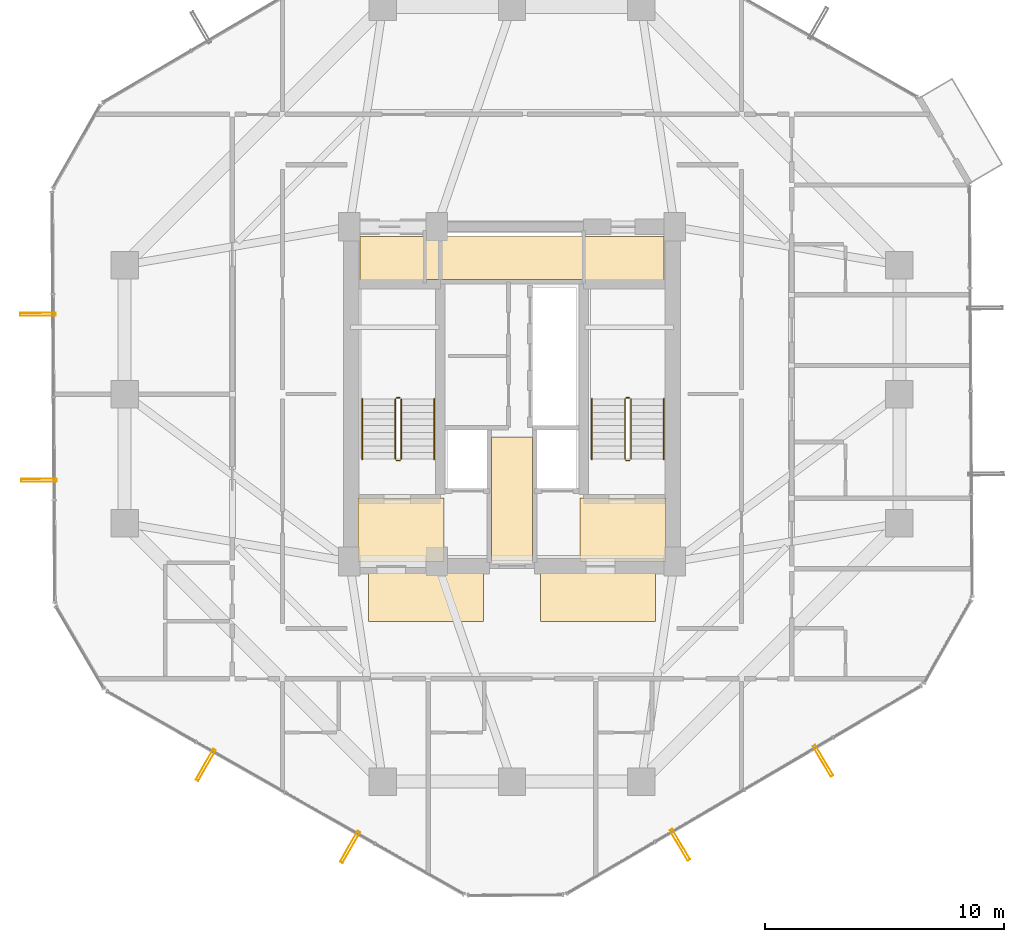
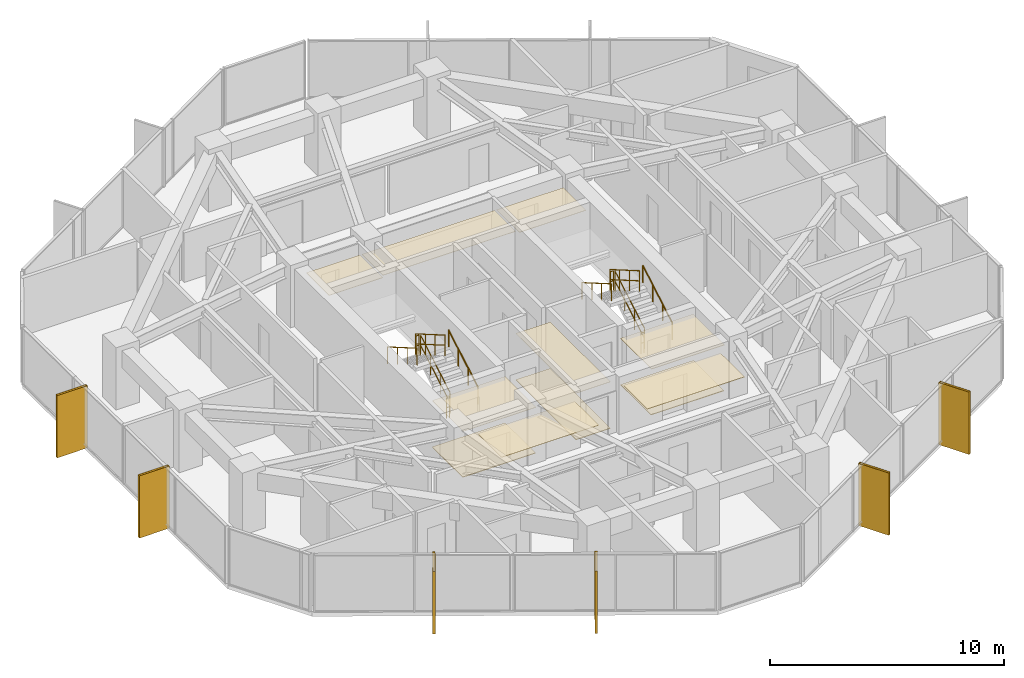
# One storey, part 29 of 30: 12 railings, 11 coverings, 6 shading devices.
"""IFC4 building model written with IfcOpenShell, lengths in metres."""

from ifc_helpers import new_model, si_unit, direction, frame, origin, origin_2d, place, context, subcontext, project, spatial, polyline, hollow_rectangle, circle, outline, extrude, material, layer, layer_set, material_profile, profile_set, type_object, element, save


model = new_model("IFC4")

# Units and contexts
model_context = context("Model", 3, precision=1e-05, world=origin(), true_north=direction((0.0, 1.0)))
body_context = subcontext(model_context, "Body", "Model", "MODEL_VIEW")
ifc_project = project(units=[si_unit("LENGTHUNIT", "METRE"), si_unit("AREAUNIT", "SQUARE_METRE"), si_unit("VOLUMEUNIT", "CUBIC_METRE"), si_unit("PLANEANGLEUNIT", "RADIAN"), si_unit("MASSUNIT", "GRAM", prefix="KILO")], contexts=[model_context])

# Site, building, storey
site_placement = place(None, origin())
site = spatial("IfcSite", under=ifc_project, at=site_placement, CompositionType="ELEMENT")
building_placement = place(site_placement, origin())
building = spatial("IfcBuilding", under=site, at=building_placement, Name="Veraguas Prism Commons", CompositionType="ELEMENT")
storey_placement = place(building_placement, frame((0.0, 0.0, 129.5)))
storey = spatial("IfcBuildingStorey", under=building, at=storey_placement, Name="L36", CompositionType="ELEMENT", Elevation=129.5)

# Shading devices
ifc_material_1 = material(Name="Anodised aluminium EN AW-6063 T6", Category="aluminium")
ifc_material_profile = material_profile(ifc_material_1, hollow_rectangle(XDim=0.1201171875, YDim=1.489990234375, WallThickness=0.006103515625, at=origin_2d()), Name="FIN120X1490X6")
ifc_profile_set = profile_set([ifc_material_profile], Name="Anodised aluminium EN AW-6063 T6")
shading_device_type = type_object("IfcShadingDeviceType", Name="Deep Pale-Metal Vertical Solar Fin 120x1490", PredefinedType="USERDEFINED", material=ifc_profile_set)
for number, where, z_axis, x_axis, name in (
    (1, (4.169921875, 27.339599609375, -0.22998046875), (0.0, 0.0, 1.0), (0.006632202536, -0.999978006703, 0.0), "Vertical Pale-Metal Solar Fin L36-F3A"),
    (2, (4.216064453125, 20.39794921875, -0.22998046875), (0.0, 0.0, 1.0), (0.006632202536, -0.999978006703, 0.0), "Vertical Pale-Metal Solar Fin L36-F3B"),
    (3, (11.19287109375, 8.496337890625, -0.22998046875), (0.0, 0.0, 1.0), (0.869322458298, -0.494245347472, 0.0), "Vertical Pale-Metal Solar Fin L36-F4A"),
    (4, (17.2275390625, 5.0654296875, -0.22998046875), (0.0, 0.0, 1.0), (0.869322458298, -0.494245347472, 0.0), "Vertical Pale-Metal Solar Fin L36-F4B"),
    (5, (31.02294921875, 5.156982421875, -0.22998046875), (0.0, 0.0, 1.0), (0.862688490417, 0.505735670585, 0.0), "Vertical Pale-Metal Solar Fin L36-F5A"),
    (6, (37.01171875, 8.66748046875, -0.22998046875), (0.0, 0.0, 1.0), (0.862688490417, 0.505735670585, 0.0), "Vertical Pale-Metal Solar Fin L36-F5B"),
):
    element("IfcShadingDevice", number, at=place(storey_placement, frame(where, z_axis=z_axis, x_axis=x_axis)), inside=storey, type_object=shading_device_type, Name=name, ObjectType="FIN", PredefinedType="USERDEFINED", context=body_context, shape_type="SweptSolid", body=[
        extrude(hollow_rectangle(XDim=0.1201171875, YDim=1.489990234375, WallThickness=0.006103515625, at=origin_2d()), origin(), (0.0, 0.0, 1.0), 3.25),
    ])

# Coverings
ifc_material_2 = material(Name="Acoustic gypsum board")
ifc_layer_1 = layer(ifc_material_2, 0.02490234375, Name="Perforated Acoustic Ceiling Tile 25")
ifc_layer_set_1 = layer_set([ifc_layer_1], Name="Acoustic gypsum board")
covering_type_1 = type_object("IfcCoveringType", Name="Perforated Acoustic Ceiling Tile 25", PredefinedType="USERDEFINED", material=ifc_layer_set_1)
covering_1_placement = place(storey_placement, frame((0.0, 0.0, 2.425048828125)))
element("IfcCovering", 7, at=covering_1_placement, inside=storey, type_object=covering_type_1, Name="East Lobby Acoustic Ceiling L36", ObjectType="ACOUSTIC CEILING", PredefinedType="USERDEFINED", context=body_context, shape_type="SweptSolid", body=[
    extrude(outline(polyline([(26.85009765625, 17.0), (30.449951171875, 17.0), (30.449951171875, 19.64990234375), (26.85009765625, 19.64990234375), (26.85009765625, 17.0)])), origin(), (0.0, 0.0, 1.0), 0.02490234375),
])
ifc_material_3 = material(Name="Terrazzo stone finish", Category="masonry")
ifc_layer_2 = layer(ifc_material_3, 0.030029296875, Name="Polished Terrazzo Floor Finish 30", Category="masonry")
ifc_layer_set_2 = layer_set([ifc_layer_2], Name="Terrazzo stone finish")
covering_type_2 = type_object("IfcCoveringType", Name="Polished Terrazzo Floor Finish 30", PredefinedType="FLOORING", material=ifc_layer_set_2)
covering_2_placement = place(storey_placement, origin())
element("IfcCovering", 8, at=covering_2_placement, inside=storey, type_object=covering_type_2, Name="Terrazzo Lobby Flooring L36", PredefinedType="FLOORING", context=body_context, shape_type="SweptSolid", body=[
    extrude(outline(polyline([(23.14990234375, 17.050048828125), (24.85009765625, 17.050048828125), (24.85009765625, 22.199951171875), (23.14990234375, 22.199951171875), (23.14990234375, 17.050048828125)])), origin(), (0.0, 0.0, 1.0), 0.030029296875),
])
covering_3_placement = place(storey_placement, origin())
element("IfcCovering", 9, at=covering_3_placement, inside=storey, type_object=covering_type_2, Name="West FF Lobby Terrazzo Flooring L36", PredefinedType="FLOORING", context=body_context, shape_type="SweptSolid", body=[
    extrude(outline(polyline([(17.550048828125, 17.050048828125), (21.14990234375, 17.050048828125), (21.14990234375, 19.64990234375), (17.550048828125, 19.64990234375), (17.550048828125, 17.050048828125)])), origin(), (0.0, 0.0, 1.0), 0.030029296875),
])
covering_4_placement = place(storey_placement, origin())
element("IfcCovering", 10, at=covering_4_placement, inside=storey, type_object=covering_type_2, Name="East FF Lobby Terrazzo Flooring L36", PredefinedType="FLOORING", context=body_context, shape_type="SweptSolid", body=[
    extrude(outline(polyline([(26.85009765625, 17.050048828125), (30.449951171875, 17.050048828125), (30.449951171875, 19.64990234375), (26.85009765625, 19.64990234375), (26.85009765625, 17.050048828125)])), origin(), (0.0, 0.0, 1.0), 0.030029296875),
])

# Railings
ifc_material_4 = material(Name="Stainless steel AISI 316", Category="steel")
railing_type_1 = type_object("IfcRailingType", Name="Stair and Ramp Stainless Handrail 900", PredefinedType="HANDRAIL", material=ifc_material_4)
railing_1_placement = place(storey_placement, frame((20.75, 21.280029296875, 0.16259765625)))
element("IfcRailing", 11, at=railing_1_placement, inside=storey, type_object=railing_type_1, Name="Stair Handrail ST-01 L36-1", PredefinedType="HANDRAIL", context=body_context, shape_type="SweptSolid", body=[
    extrude(circle(Radius=0.02392578125, at=origin_2d()), frame((0.0, 0.0, 0.8759765625), z_axis=(0.0, 0.864913338283, 0.50192122615), x_axis=(-1.0, 0.0, 0.0)), (0.0, 0.0, 1.0), 2.91357421875),
    extrude(circle(Radius=0.02099609375, at=origin_2d()), origin(), (0.0, 0.0, 1.0), 0.851806640625),
    extrude(circle(Radius=0.02099609375, at=origin_2d()), frame((0.0, 0.840087890625, 0.487548828125)), (0.0, 0.0, 1.0), 0.851806640625),
    extrude(circle(Radius=0.02099609375, at=origin_2d()), frame((0.0, 1.679931640625, 0.974853515625)), (0.0, 0.0, 1.0), 0.851806640625),
    extrude(circle(Radius=0.02099609375, at=origin_2d()), frame((0.0, 2.52001953125, 1.46240234375)), (0.0, 0.0, 1.0), 0.851806640625),
])
railing_2_placement = place(storey_placement, frame((17.739990234375, 23.800048828125, 1.78759765625)))
element("IfcRailing", 12, at=railing_2_placement, inside=storey, type_object=railing_type_1, Name="Stair Handrail ST-01 L36-2", PredefinedType="HANDRAIL", context=body_context, shape_type="SweptSolid", body=[
    extrude(circle(Radius=0.02392578125, at=origin_2d()), frame((0.0, 0.0, 0.8759765625), z_axis=(0.0, -0.864913338283, 0.50192122615), x_axis=(1.0, 0.0, 0.0)), (0.0, 0.0, 1.0), 2.91357421875),
    extrude(circle(Radius=0.02099609375, at=origin_2d()), origin(), (0.0, 0.0, 1.0), 0.851806640625),
    extrude(circle(Radius=0.02099609375, at=origin_2d()), frame((0.0, -0.840087890625, 0.487548828125)), (0.0, 0.0, 1.0), 0.851806640625),
    extrude(circle(Radius=0.02099609375, at=origin_2d()), frame((0.0, -1.679931640625, 0.974853515625)), (0.0, 0.0, 1.0), 0.851806640625),
    extrude(circle(Radius=0.02099609375, at=origin_2d()), frame((0.0, -2.52001953125, 1.46240234375)), (0.0, 0.0, 1.0), 0.851806640625),
])
railing_3_placement = place(storey_placement, frame((30.35009765625, 21.280029296875, 0.16259765625)))
element("IfcRailing", 13, at=railing_3_placement, inside=storey, type_object=railing_type_1, Name="Stair Handrail ST-02 L36-1", PredefinedType="HANDRAIL", context=body_context, shape_type="SweptSolid", body=[
    extrude(circle(Radius=0.02392578125, at=origin_2d()), frame((0.0, 0.0, 0.8759765625), z_axis=(0.0, 0.864913338283, 0.50192122615), x_axis=(-1.0, 0.0, 0.0)), (0.0, 0.0, 1.0), 2.91357421875),
    extrude(circle(Radius=0.02099609375, at=origin_2d()), origin(), (0.0, 0.0, 1.0), 0.851806640625),
    extrude(circle(Radius=0.02099609375, at=origin_2d()), frame((0.0, 0.840087890625, 0.487548828125)), (0.0, 0.0, 1.0), 0.851806640625),
    extrude(circle(Radius=0.02099609375, at=origin_2d()), frame((0.0, 1.679931640625, 0.974853515625)), (0.0, 0.0, 1.0), 0.851806640625),
    extrude(circle(Radius=0.02099609375, at=origin_2d()), frame((0.0, 2.52001953125, 1.46240234375)), (0.0, 0.0, 1.0), 0.851806640625),
])
railing_4_placement = place(storey_placement, frame((27.340087890625, 23.800048828125, 1.78759765625)))
element("IfcRailing", 14, at=railing_4_placement, inside=storey, type_object=railing_type_1, Name="Stair Handrail ST-02 L36-2", PredefinedType="HANDRAIL", context=body_context, shape_type="SweptSolid", body=[
    extrude(circle(Radius=0.02392578125, at=origin_2d()), frame((0.0, 0.0, 0.8759765625), z_axis=(0.0, -0.864913338283, 0.50192122615), x_axis=(1.0, 0.0, 0.0)), (0.0, 0.0, 1.0), 2.91357421875),
    extrude(circle(Radius=0.02099609375, at=origin_2d()), origin(), (0.0, 0.0, 1.0), 0.851806640625),
    extrude(circle(Radius=0.02099609375, at=origin_2d()), frame((0.0, -0.840087890625, 0.487548828125)), (0.0, 0.0, 1.0), 0.851806640625),
    extrude(circle(Radius=0.02099609375, at=origin_2d()), frame((0.0, -1.679931640625, 0.974853515625)), (0.0, 0.0, 1.0), 0.851806640625),
    extrude(circle(Radius=0.02099609375, at=origin_2d()), frame((0.0, -2.52001953125, 1.46240234375)), (0.0, 0.0, 1.0), 0.851806640625),
])
railing_type_2 = type_object("IfcRailingType", Name="Stairwell Safety Guardrail 1100", PredefinedType="GUARDRAIL", material=ifc_material_4)
railing_5_placement = place(storey_placement, frame((19.3701171875, 21.280029296875, 0.16259765625)))
element("IfcRailing", 15, at=railing_5_placement, inside=storey, type_object=railing_type_2, Name="Stair Guard ST-01 L36-1", PredefinedType="GUARDRAIL", context=body_context, shape_type="SweptSolid", body=[
    extrude(circle(Radius=0.02392578125, at=origin_2d()), frame((0.0, 0.0, 1.076171875), z_axis=(0.0, 0.864913338283, 0.50192122615), x_axis=(-1.0, 0.0, 0.0)), (0.0, 0.0, 1.0), 2.91357421875),
    extrude(circle(Radius=0.02392578125, at=origin_2d()), frame((0.0, 0.0, 0.550048828125), z_axis=(0.0, 0.864913338283, 0.50192122615), x_axis=(-1.0, 0.0, 0.0)), (0.0, 0.0, 1.0), 2.91357421875),
    extrude(circle(Radius=0.02099609375, at=origin_2d()), origin(), (0.0, 0.0, 1.0), 1.052001953125),
    extrude(circle(Radius=0.02099609375, at=origin_2d()), frame((0.0, 0.840087890625, 0.487548828125)), (0.0, 0.0, 1.0), 1.052001953125),
    extrude(circle(Radius=0.02099609375, at=origin_2d()), frame((0.0, 1.679931640625, 0.974853515625)), (0.0, 0.0, 1.0), 1.052001953125),
    extrude(circle(Radius=0.02099609375, at=origin_2d()), frame((0.0, 2.52001953125, 1.46240234375)), (0.0, 0.0, 1.0), 1.052001953125),
])
railing_6_placement = place(storey_placement, frame((19.320068359375, 23.85009765625, 1.625)))
element("IfcRailing", 16, at=railing_6_placement, inside=storey, type_object=railing_type_2, Name="Stair Guard ST-01 L36-2", PredefinedType="GUARDRAIL", context=body_context, shape_type="SweptSolid", body=[
    extrude(circle(Radius=0.02392578125, at=origin_2d()), frame((0.0, 0.0, 1.076171875), z_axis=(-1.0, 0.0, 0.0), x_axis=(0.0, -1.0, 0.0)), (0.0, 0.0, 1.0), 0.150146484375),
    extrude(circle(Radius=0.02392578125, at=origin_2d()), frame((0.0, 0.0, 0.550048828125), z_axis=(-1.0, 0.0, 0.0), x_axis=(0.0, -1.0, 0.0)), (0.0, 0.0, 1.0), 0.150146484375),
    extrude(circle(Radius=0.02099609375, at=origin_2d()), origin(), (0.0, 0.0, 1.0), 1.052001953125),
    extrude(circle(Radius=0.02099609375, at=origin_2d()), frame((-0.150146484375, 0.0, 0.0)), (0.0, 0.0, 1.0), 1.052001953125),
])
railing_7_placement = place(storey_placement, frame((19.1201171875, 23.800048828125, 1.78759765625)))
element("IfcRailing", 17, at=railing_7_placement, inside=storey, type_object=railing_type_2, Name="Stair Guard ST-01 L36-3", PredefinedType="GUARDRAIL", context=body_context, shape_type="SweptSolid", body=[
    extrude(circle(Radius=0.02392578125, at=origin_2d()), frame((0.0, 0.0, 1.076171875), z_axis=(0.0, -0.864913338283, 0.50192122615), x_axis=(1.0, 0.0, 0.0)), (0.0, 0.0, 1.0), 2.91357421875),
    extrude(circle(Radius=0.02392578125, at=origin_2d()), frame((0.0, 0.0, 0.550048828125), z_axis=(0.0, -0.864913338283, 0.50192122615), x_axis=(1.0, 0.0, 0.0)), (0.0, 0.0, 1.0), 2.91357421875),
    extrude(circle(Radius=0.02099609375, at=origin_2d()), origin(), (0.0, 0.0, 1.0), 1.052001953125),
    extrude(circle(Radius=0.02099609375, at=origin_2d()), frame((0.0, -0.840087890625, 0.487548828125)), (0.0, 0.0, 1.0), 1.052001953125),
    extrude(circle(Radius=0.02099609375, at=origin_2d()), frame((0.0, -1.679931640625, 0.974853515625)), (0.0, 0.0, 1.0), 1.052001953125),
    extrude(circle(Radius=0.02099609375, at=origin_2d()), frame((0.0, -2.52001953125, 1.46240234375)), (0.0, 0.0, 1.0), 1.052001953125),
])
railing_8_placement = place(storey_placement, frame((19.320068359375, 21.22998046875, 0.0)))
element("IfcRailing", 18, at=railing_8_placement, inside=storey, type_object=railing_type_2, Name="Stair Guard ST-01 L36-4", PredefinedType="GUARDRAIL", context=body_context, shape_type="SweptSolid", body=[
    extrude(circle(Radius=0.02392578125, at=origin_2d()), frame((0.0, 0.0, 1.076171875), z_axis=(-1.0, 0.0, 0.0), x_axis=(0.0, -1.0, 0.0)), (0.0, 0.0, 1.0), 0.150146484375),
    extrude(circle(Radius=0.02392578125, at=origin_2d()), frame((0.0, 0.0, 0.550048828125), z_axis=(-1.0, 0.0, 0.0), x_axis=(0.0, -1.0, 0.0)), (0.0, 0.0, 1.0), 0.150146484375),
    extrude(circle(Radius=0.02099609375, at=origin_2d()), origin(), (0.0, 0.0, 1.0), 1.052001953125),
    extrude(circle(Radius=0.02099609375, at=origin_2d()), frame((-0.150146484375, 0.0, 0.0)), (0.0, 0.0, 1.0), 1.052001953125),
])
railing_9_placement = place(storey_placement, frame((28.969970703125, 21.280029296875, 0.16259765625)))
element("IfcRailing", 19, at=railing_9_placement, inside=storey, type_object=railing_type_2, Name="Stair Guard ST-02 L36-1", PredefinedType="GUARDRAIL", context=body_context, shape_type="SweptSolid", body=[
    extrude(circle(Radius=0.02392578125, at=origin_2d()), frame((0.0, 0.0, 1.076171875), z_axis=(0.0, 0.864913338283, 0.50192122615), x_axis=(-1.0, 0.0, 0.0)), (0.0, 0.0, 1.0), 2.91357421875),
    extrude(circle(Radius=0.02392578125, at=origin_2d()), frame((0.0, 0.0, 0.550048828125), z_axis=(0.0, 0.864913338283, 0.50192122615), x_axis=(-1.0, 0.0, 0.0)), (0.0, 0.0, 1.0), 2.91357421875),
    extrude(circle(Radius=0.02099609375, at=origin_2d()), origin(), (0.0, 0.0, 1.0), 1.052001953125),
    extrude(circle(Radius=0.02099609375, at=origin_2d()), frame((0.0, 0.840087890625, 0.487548828125)), (0.0, 0.0, 1.0), 1.052001953125),
    extrude(circle(Radius=0.02099609375, at=origin_2d()), frame((0.0, 1.679931640625, 0.974853515625)), (0.0, 0.0, 1.0), 1.052001953125),
    extrude(circle(Radius=0.02099609375, at=origin_2d()), frame((0.0, 2.52001953125, 1.46240234375)), (0.0, 0.0, 1.0), 1.052001953125),
])
railing_10_placement = place(storey_placement, frame((28.919921875, 23.85009765625, 1.625)))
element("IfcRailing", 20, at=railing_10_placement, inside=storey, type_object=railing_type_2, Name="Stair Guard ST-02 L36-2", PredefinedType="GUARDRAIL", context=body_context, shape_type="SweptSolid", body=[
    extrude(circle(Radius=0.02392578125, at=origin_2d()), frame((0.0, 0.0, 1.076171875), z_axis=(-1.0, 0.0, 0.0), x_axis=(0.0, -1.0, 0.0)), (0.0, 0.0, 1.0), 0.14990234375),
    extrude(circle(Radius=0.02392578125, at=origin_2d()), frame((0.0, 0.0, 0.550048828125), z_axis=(-1.0, 0.0, 0.0), x_axis=(0.0, -1.0, 0.0)), (0.0, 0.0, 1.0), 0.14990234375),
    extrude(circle(Radius=0.02099609375, at=origin_2d()), origin(), (0.0, 0.0, 1.0), 1.052001953125),
    extrude(circle(Radius=0.02099609375, at=origin_2d()), frame((-0.14990234375, 0.0, 0.0)), (0.0, 0.0, 1.0), 1.052001953125),
])
railing_11_placement = place(storey_placement, frame((28.719970703125, 23.800048828125, 1.78759765625)))
element("IfcRailing", 21, at=railing_11_placement, inside=storey, type_object=railing_type_2, Name="Stair Guard ST-02 L36-3", PredefinedType="GUARDRAIL", context=body_context, shape_type="SweptSolid", body=[
    extrude(circle(Radius=0.02392578125, at=origin_2d()), frame((0.0, 0.0, 1.076171875), z_axis=(0.0, -0.864913338283, 0.50192122615), x_axis=(1.0, 0.0, 0.0)), (0.0, 0.0, 1.0), 2.91357421875),
    extrude(circle(Radius=0.02392578125, at=origin_2d()), frame((0.0, 0.0, 0.550048828125), z_axis=(0.0, -0.864913338283, 0.50192122615), x_axis=(1.0, 0.0, 0.0)), (0.0, 0.0, 1.0), 2.91357421875),
    extrude(circle(Radius=0.02099609375, at=origin_2d()), origin(), (0.0, 0.0, 1.0), 1.052001953125),
    extrude(circle(Radius=0.02099609375, at=origin_2d()), frame((0.0, -0.840087890625, 0.487548828125)), (0.0, 0.0, 1.0), 1.052001953125),
    extrude(circle(Radius=0.02099609375, at=origin_2d()), frame((0.0, -1.679931640625, 0.974853515625)), (0.0, 0.0, 1.0), 1.052001953125),
    extrude(circle(Radius=0.02099609375, at=origin_2d()), frame((0.0, -2.52001953125, 1.46240234375)), (0.0, 0.0, 1.0), 1.052001953125),
])
railing_12_placement = place(storey_placement, frame((28.919921875, 21.22998046875, 0.0)))
element("IfcRailing", 22, at=railing_12_placement, inside=storey, type_object=railing_type_2, Name="Stair Guard ST-02 L36-4", PredefinedType="GUARDRAIL", context=body_context, shape_type="SweptSolid", body=[
    extrude(circle(Radius=0.02392578125, at=origin_2d()), frame((0.0, 0.0, 1.076171875), z_axis=(-1.0, 0.0, 0.0), x_axis=(0.0, -1.0, 0.0)), (0.0, 0.0, 1.0), 0.14990234375),
    extrude(circle(Radius=0.02392578125, at=origin_2d()), frame((0.0, 0.0, 0.550048828125), z_axis=(-1.0, 0.0, 0.0), x_axis=(0.0, -1.0, 0.0)), (0.0, 0.0, 1.0), 0.14990234375),
    extrude(circle(Radius=0.02099609375, at=origin_2d()), origin(), (0.0, 0.0, 1.0), 1.052001953125),
    extrude(circle(Radius=0.02099609375, at=origin_2d()), frame((-0.14990234375, 0.0, 0.0)), (0.0, 0.0, 1.0), 1.052001953125),
])

# Coverings
ifc_layer_3 = layer(ifc_material_2, 0.02001953125, Name="Suspended Gypsum Ceiling 20")
ifc_layer_set_3 = layer_set([ifc_layer_3], Name="Acoustic gypsum board")
covering_type_3 = type_object("IfcCoveringType", Name="Suspended Gypsum Ceiling 20", PredefinedType="CEILING", material=ifc_layer_set_3)
covering_5_placement = place(storey_placement, frame((0.0, 0.0, 2.429931640625)))
element("IfcCovering", 23, at=covering_5_placement, inside=storey, type_object=covering_type_3, Name="West Lobby Suspended Gypsum Ceiling L36", PredefinedType="CEILING", context=body_context, shape_type="SweptSolid", body=[
    extrude(outline(polyline([(17.550048828125, 17.0), (21.14990234375, 17.0), (21.14990234375, 19.64990234375), (17.550048828125, 19.64990234375), (17.550048828125, 17.0)])), origin(), (0.0, 0.0, 1.0), 0.02001953125),
])
covering_6_placement = place(storey_placement, frame((0.0, 0.0, 2.429931640625)))
element("IfcCovering", 24, at=covering_6_placement, inside=storey, type_object=covering_type_3, Name="Core Lobby Acoustic Ceiling L36-1", PredefinedType="CEILING", context=body_context, shape_type="SweptSolid", body=[
    extrude(outline(polyline([(18.0, 14.5), (22.800048828125, 14.5), (22.800048828125, 16.550048828125), (18.0, 16.550048828125), (18.0, 14.5)])), origin(), (0.0, 0.0, 1.0), 0.02001953125),
])
covering_7_placement = place(storey_placement, frame((0.0, 0.0, 2.429931640625)))
element("IfcCovering", 25, at=covering_7_placement, inside=storey, type_object=covering_type_3, Name="Core Lobby Acoustic Ceiling L36-2", PredefinedType="CEILING", context=body_context, shape_type="SweptSolid", body=[
    extrude(outline(polyline([(25.199951171875, 14.5), (30.0, 14.5), (30.0, 16.550048828125), (25.199951171875, 16.550048828125), (25.199951171875, 14.5)])), origin(), (0.0, 0.0, 1.0), 0.02001953125),
])
covering_8_placement = place(storey_placement, frame((0.0, 0.0, 2.429931640625)))
element("IfcCovering", 26, at=covering_8_placement, inside=storey, type_object=covering_type_3, Name="Core Lobby Acoustic Ceiling L36-3", PredefinedType="CEILING", context=body_context, shape_type="SweptSolid", body=[
    extrude(outline(polyline([(23.14990234375, 17.050048828125), (24.85009765625, 17.050048828125), (24.85009765625, 22.199951171875), (23.14990234375, 22.199951171875), (23.14990234375, 17.050048828125)])), origin(), (0.0, 0.0, 1.0), 0.02001953125),
])
covering_9_placement = place(storey_placement, frame((0.0, 0.0, 2.429931640625)))
element("IfcCovering", 27, at=covering_9_placement, inside=storey, type_object=covering_type_3, Name="Core Lobby Acoustic Ceiling L36-4", PredefinedType="CEILING", context=body_context, shape_type="SweptSolid", body=[
    extrude(outline(polyline([(17.64990234375, 28.64990234375), (20.300048828125, 28.64990234375), (20.300048828125, 30.60009765625), (17.64990234375, 30.60009765625), (17.64990234375, 28.64990234375)])), origin(), (0.0, 0.0, 1.0), 0.02001953125),
])
covering_10_placement = place(storey_placement, frame((0.0, 0.0, 2.429931640625)))
element("IfcCovering", 28, at=covering_10_placement, inside=storey, type_object=covering_type_3, Name="Core Lobby Acoustic Ceiling L36-5", PredefinedType="CEILING", context=body_context, shape_type="SweptSolid", body=[
    extrude(outline(polyline([(27.050048828125, 28.64990234375), (30.35009765625, 28.64990234375), (30.35009765625, 30.60009765625), (27.050048828125, 30.60009765625), (27.050048828125, 28.64990234375)])), origin(), (0.0, 0.0, 1.0), 0.02001953125),
])
covering_11_placement = place(storey_placement, frame((0.0, 0.0, 2.429931640625)))
element("IfcCovering", 29, at=covering_11_placement, inside=storey, type_object=covering_type_3, Name="Core Lobby Acoustic Ceiling L36-6", PredefinedType="CEILING", context=body_context, shape_type="SweptSolid", body=[
    extrude(outline(polyline([(20.39990234375, 28.800048828125), (26.949951171875, 28.800048828125), (26.949951171875, 30.60009765625), (20.39990234375, 30.60009765625), (20.39990234375, 28.800048828125)])), origin(), (0.0, 0.0, 1.0), 0.02001953125),
])

save(model, "model.ifc")
